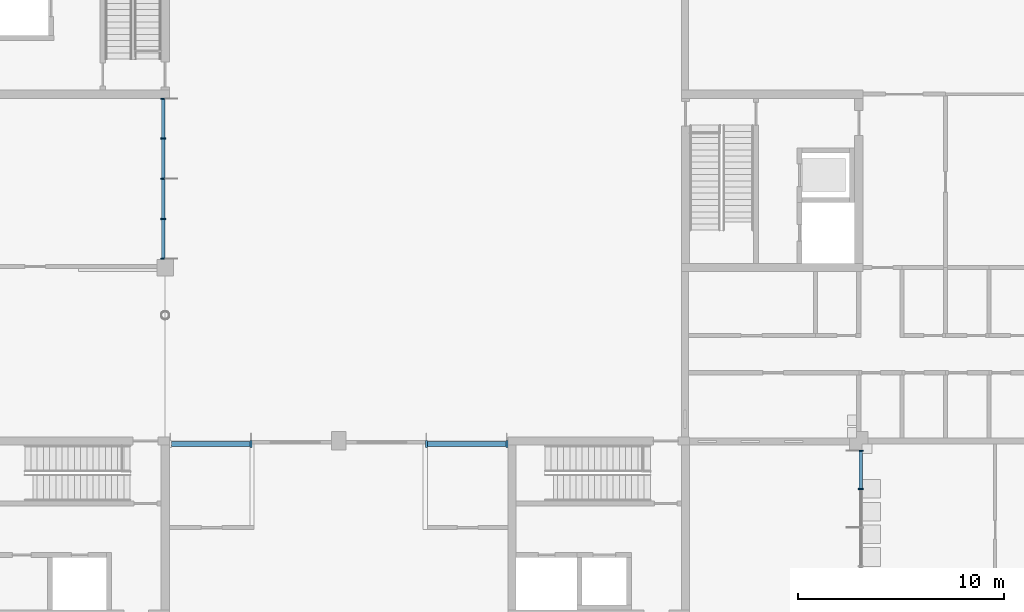
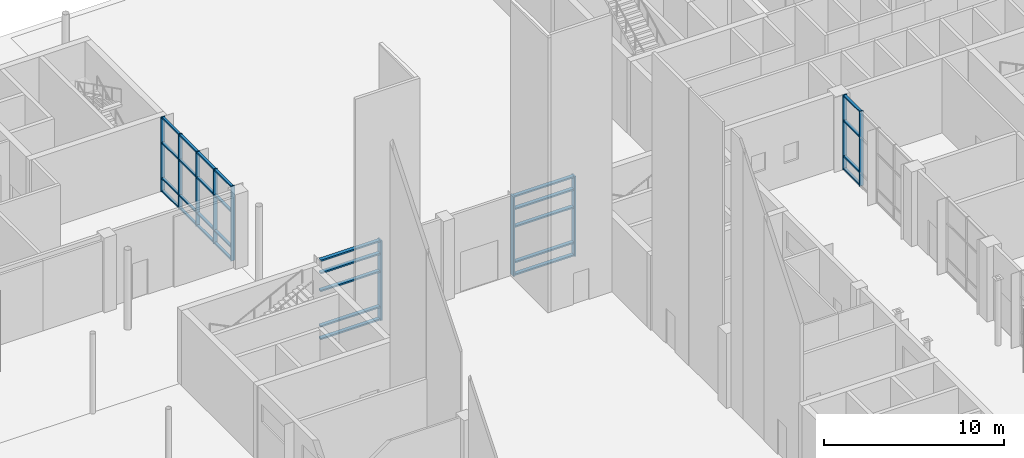
# One storey, part 22 of 76: 40 members, 4 elements without a shape of their own.
"""IFC4 building model written with IfcOpenShell, lengths in metres."""

from ifc_helpers import new_model, si_unit, direction, frame, origin, origin_2d, place, context, subcontext, project, spatial, rectangle, extrude, material, material_profile, profile_set, type_object, element, aggregate, save


model = new_model("IFC4")

# Units and contexts
model_context = context("Model", 3, precision=1e-05, world=origin(), true_north=direction((0.0, 1.0)))
body_context = subcontext(model_context, "Body", "Model", "MODEL_VIEW")
ifc_project = project(units=[si_unit("LENGTHUNIT", "METRE"), si_unit("AREAUNIT", "SQUARE_METRE"), si_unit("VOLUMEUNIT", "CUBIC_METRE"), si_unit("PLANEANGLEUNIT", "RADIAN"), si_unit("MASSUNIT", "GRAM", prefix="KILO")], contexts=[model_context])

# Site, building, storey
site_placement = place(None, origin())
site = spatial("IfcSite", under=ifc_project, at=site_placement, CompositionType="ELEMENT")
building_placement = place(site_placement, origin())
building = spatial("IfcBuilding", under=site, at=building_placement, Name="Hlaing Beacon Police Headquarters", CompositionType="ELEMENT")
storey_placement = place(building_placement, origin())
storey = spatial("IfcBuildingStorey", under=building, at=storey_placement, Name="L00", CompositionType="ELEMENT", Elevation=0.0)

# Curtain wall, members
ifc_material_1 = material(Name="Aluminium frame with solar control glazing", Category="aluminium")
curtain_wall_type_1 = type_object("IfcCurtainWallType", Name="Structural glazed gable wall 4.00 x 5.40", PredefinedType="NOTDEFINED", material=ifc_material_1)
curtain_wall_1_placement = place(storey_placement, origin())
curtain_wall_1 = element("IfcCurtainWall", 1, at=curtain_wall_1_placement, inside=storey, type_object=curtain_wall_type_1, Name="ENV-CW-L00-N020", PredefinedType="NOTDEFINED")
ifc_material_2 = material(Name="Aluminium", Category="aluminium")
ifc_material_profile_1 = material_profile(ifc_material_2, rectangle(XDim=0.35009765625, YDim=0.10009765625, at=origin_2d()), Name="Mullion 100x350")
ifc_profile_set_1 = profile_set([ifc_material_profile_1], Name="Aluminium")
member_type_1 = type_object("IfcMemberType", Name="Mullion 100x350", PredefinedType="MULLION", material=ifc_profile_set_1)
member_1_placement = place(storey_placement, frame((83.75, 67.050048828125, 0.0), z_axis=(0.0, 0.0, 1.0), x_axis=(0.0, -1.0, 0.0)))
member_1 = element("IfcMember", 2, at=member_1_placement, type_object=member_type_1, Name="CW-L00-N020 mullion 1", PredefinedType="MULLION", context=body_context, shape_type="SweptSolid", body=[
    extrude(rectangle(XDim=0.35009765625, YDim=0.10009765625, at=origin_2d()), origin(), (0.0, 0.0, 1.0), 5.39990234375),
])
member_2_placement = place(storey_placement, frame((79.85009765625, 67.050048828125, 0.0), z_axis=(0.0, 0.0, 1.0), x_axis=(0.0, -1.0, 0.0)))
member_2 = element("IfcMember", 3, at=member_2_placement, type_object=member_type_1, Name="CW-L00-N020 mullion 2", PredefinedType="MULLION", context=body_context, shape_type="SweptSolid", body=[
    extrude(rectangle(XDim=0.35009765625, YDim=0.10009765625, at=origin_2d()), origin(), (0.0, 0.0, 1.0), 5.39990234375),
])

# Curtain wall, member
curtain_wall_2_placement = place(storey_placement, origin())
curtain_wall_2 = element("IfcCurtainWall", 4, at=curtain_wall_2_placement, inside=storey, type_object=curtain_wall_type_1, Name="ENV-CW-L00-N021", PredefinedType="NOTDEFINED")
member_3_placement = place(storey_placement, frame((71.35009765625, 67.050048828125, 0.0), z_axis=(0.0, 0.0, 1.0), x_axis=(0.0, -1.0, 0.0)))
member_3 = element("IfcMember", 5, at=member_3_placement, type_object=member_type_1, Name="CW-L00-N021 mullion 1", PredefinedType="MULLION", context=body_context, shape_type="SweptSolid", body=[
    extrude(rectangle(XDim=0.35009765625, YDim=0.10009765625, at=origin_2d()), origin(), (0.0, 0.0, 1.0), 5.39990234375),
])

# Curtain wall, members
ifc_material_3 = material(Name="Aluminium frame with solar control glazing", Category="aluminium")
curtain_wall_type_2 = type_object("IfcCurtainWallType", Name="Unitised curtain wall 7.50 x 5.05", PredefinedType="NOTDEFINED", material=ifc_material_3)
curtain_wall_3_placement = place(storey_placement, origin())
curtain_wall_3 = element("IfcCurtainWall", 6, at=curtain_wall_3_placement, inside=storey, type_object=curtain_wall_type_2, Name="ENV-CW-L00-W016", PredefinedType="NOTDEFINED")
ifc_material_4 = material(Name="Aluminium", Category="aluminium")
ifc_material_profile_2 = material_profile(ifc_material_4, rectangle(XDim=0.25, YDim=0.06005859375, at=origin_2d()), Name="Mullion 60x250")
ifc_profile_set_2 = profile_set([ifc_material_profile_2], Name="Aluminium")
member_type_2 = type_object("IfcMemberType", Name="Mullion 60x250", PredefinedType="MULLION", material=ifc_profile_set_2)
member_4_placement = place(storey_placement, frame((100.89990234375, 66.719970703125, 0.0), z_axis=(0.0, 0.0, 1.0), x_axis=(1.0, 0.0, 0.0)))
member_4 = element("IfcMember", 7, at=member_4_placement, type_object=member_type_2, Name="CW-L00-W016 mullion 1", PredefinedType="MULLION", context=body_context, shape_type="SweptSolid", body=[
    extrude(rectangle(XDim=0.25, YDim=0.06005859375, at=origin_2d()), origin(), (0.0, 0.0, 1.0), 5.050048828125),
])
member_5_placement = place(storey_placement, frame((100.89990234375, 64.875, 0.0), z_axis=(0.0, 0.0, 1.0), x_axis=(1.0, 0.0, 0.0)))
member_5 = element("IfcMember", 8, at=member_5_placement, type_object=member_type_2, Name="CW-L00-W016 mullion 2", PredefinedType="MULLION", context=body_context, shape_type="SweptSolid", body=[
    extrude(rectangle(XDim=0.25, YDim=0.06005859375, at=origin_2d()), origin(), (0.0, 0.0, 1.0), 5.050048828125),
])

ifc_material_5 = material(Name="Aluminium frame with solar control glazing", Category="aluminium")
curtain_wall_type_3 = type_object("IfcCurtainWallType", Name="Unitised curtain wall 7.80 x 5.05", PredefinedType="NOTDEFINED", material=ifc_material_5)
curtain_wall_4_placement = place(storey_placement, origin())
curtain_wall_4 = element("IfcCurtainWall", 9, at=curtain_wall_4_placement, inside=storey, type_object=curtain_wall_type_3, Name="ENV-CW-L00-E026", PredefinedType="NOTDEFINED")
member_6_placement = place(storey_placement, frame((67.10009765625, 76.030029296875, 0.0), z_axis=(0.0, 0.0, 1.0), x_axis=(-1.0, 0.0, 0.0)))
member_6 = element("IfcMember", 10, at=member_6_placement, type_object=member_type_2, Name="CW-L00-E026 mullion 1", PredefinedType="MULLION", context=body_context, shape_type="SweptSolid", body=[
    extrude(rectangle(XDim=0.25, YDim=0.06005859375, at=origin_2d()), origin(), (0.0, 0.0, 1.0), 5.050048828125),
])
member_7_placement = place(storey_placement, frame((67.10009765625, 77.949951171875, 0.0), z_axis=(0.0, 0.0, 1.0), x_axis=(-1.0, 0.0, 0.0)))
member_7 = element("IfcMember", 11, at=member_7_placement, type_object=member_type_2, Name="CW-L00-E026 mullion 2", PredefinedType="MULLION", context=body_context, shape_type="SweptSolid", body=[
    extrude(rectangle(XDim=0.25, YDim=0.06005859375, at=origin_2d()), origin(), (0.0, 0.0, 1.0), 5.050048828125),
])
member_8_placement = place(storey_placement, frame((67.10009765625, 79.89990234375, 0.0), z_axis=(0.0, 0.0, 1.0), x_axis=(-1.0, 0.0, 0.0)))
member_8 = element("IfcMember", 12, at=member_8_placement, type_object=member_type_2, Name="CW-L00-E026 mullion 3", PredefinedType="MULLION", context=body_context, shape_type="SweptSolid", body=[
    extrude(rectangle(XDim=0.25, YDim=0.06005859375, at=origin_2d()), origin(), (0.0, 0.0, 1.0), 5.050048828125),
])
member_9_placement = place(storey_placement, frame((67.10009765625, 81.85009765625, 0.0), z_axis=(0.0, 0.0, 1.0), x_axis=(-1.0, 0.0, 0.0)))
member_9 = element("IfcMember", 13, at=member_9_placement, type_object=member_type_2, Name="CW-L00-E026 mullion 4", PredefinedType="MULLION", context=body_context, shape_type="SweptSolid", body=[
    extrude(rectangle(XDim=0.25, YDim=0.06005859375, at=origin_2d()), origin(), (0.0, 0.0, 1.0), 5.050048828125),
])
member_10_placement = place(storey_placement, frame((67.10009765625, 83.77001953125, 0.0), z_axis=(0.0, 0.0, 1.0), x_axis=(-1.0, 0.0, 0.0)))
member_10 = element("IfcMember", 14, at=member_10_placement, type_object=member_type_2, Name="CW-L00-E026 mullion 5", PredefinedType="MULLION", context=body_context, shape_type="SweptSolid", body=[
    extrude(rectangle(XDim=0.25, YDim=0.06005859375, at=origin_2d()), origin(), (0.0, 0.0, 1.0), 5.050048828125),
])

# Member
ifc_material_6 = material(Name="Aluminium", Category="aluminium")
ifc_material_profile_3 = material_profile(ifc_material_6, rectangle(XDim=0.159912109375, YDim=0.10009765625, at=origin_2d()), Name="Transom 160x100")
ifc_profile_set_3 = profile_set([ifc_material_profile_3], Name="Aluminium")
member_type_3 = type_object("IfcMemberType", Name="Transom 160x100", PredefinedType="USERDEFINED", material=ifc_profile_set_3)
member_11_placement = place(storey_placement, frame((100.89990234375, 66.68994140625, 0.050048828125), z_axis=(0.0, -1.0, 0.0), x_axis=(1.0, 0.0, 0.0)))
member_11 = element("IfcMember", 15, at=member_11_placement, type_object=member_type_3, Name="CW-L00-W016 transom 1.1", ObjectType="TRANSOM", PredefinedType="USERDEFINED", context=body_context, shape_type="SweptSolid", body=[
    extrude(rectangle(XDim=0.159912109375, YDim=0.10009765625, at=origin_2d()), origin(), (0.0, 0.0, 1.0), 1.784912109375),
])

member_12_placement = place(storey_placement, frame((100.89990234375, 66.68994140625, 0.89990234375), z_axis=(0.0, -1.0, 0.0), x_axis=(1.0, 0.0, 0.0)))
member_12 = element("IfcMember", 16, at=member_12_placement, type_object=member_type_3, Name="CW-L00-W016 transom 1.2", ObjectType="TRANSOM", PredefinedType="USERDEFINED", context=body_context, shape_type="SweptSolid", body=[
    extrude(rectangle(XDim=0.159912109375, YDim=0.10009765625, at=origin_2d()), origin(), (0.0, 0.0, 1.0), 1.784912109375),
])

member_13_placement = place(storey_placement, frame((100.89990234375, 66.68994140625, 3.300048828125), z_axis=(0.0, -1.0, 0.0), x_axis=(1.0, 0.0, 0.0)))
member_13 = element("IfcMember", 17, at=member_13_placement, type_object=member_type_3, Name="CW-L00-W016 transom 1.3", ObjectType="TRANSOM", PredefinedType="USERDEFINED", context=body_context, shape_type="SweptSolid", body=[
    extrude(rectangle(XDim=0.159912109375, YDim=0.10009765625, at=origin_2d()), origin(), (0.0, 0.0, 1.0), 1.784912109375),
])

member_14_placement = place(storey_placement, frame((100.89990234375, 66.68994140625, 5.0), z_axis=(0.0, -1.0, 0.0), x_axis=(1.0, 0.0, 0.0)))
member_14 = element("IfcMember", 18, at=member_14_placement, type_object=member_type_3, Name="CW-L00-W016 transom 1.4", ObjectType="TRANSOM", PredefinedType="USERDEFINED", context=body_context, shape_type="SweptSolid", body=[
    extrude(rectangle(XDim=0.159912109375, YDim=0.10009765625, at=origin_2d()), origin(), (0.0, 0.0, 1.0), 1.784912109375),
])

aggregate(curtain_wall_3, [member_4, member_5, member_11, member_12, member_13, member_14])

member_15_placement = place(storey_placement, frame((67.10009765625, 76.06005859375, 0.050048828125), z_axis=(0.0, 1.0, 0.0), x_axis=(-1.0, 0.0, 0.0)))
member_15 = element("IfcMember", 19, at=member_15_placement, type_object=member_type_3, Name="CW-L00-E026 transom 1.1", ObjectType="TRANSOM", PredefinedType="USERDEFINED", context=body_context, shape_type="SweptSolid", body=[
    extrude(rectangle(XDim=0.159912109375, YDim=0.10009765625, at=origin_2d()), origin(), (0.0, 0.0, 1.0), 1.85986328125),
])

member_16_placement = place(storey_placement, frame((67.10009765625, 76.06005859375, 0.89990234375), z_axis=(0.0, 1.0, 0.0), x_axis=(-1.0, 0.0, 0.0)))
member_16 = element("IfcMember", 20, at=member_16_placement, type_object=member_type_3, Name="CW-L00-E026 transom 1.2", ObjectType="TRANSOM", PredefinedType="USERDEFINED", context=body_context, shape_type="SweptSolid", body=[
    extrude(rectangle(XDim=0.159912109375, YDim=0.10009765625, at=origin_2d()), origin(), (0.0, 0.0, 1.0), 1.85986328125),
])

member_17_placement = place(storey_placement, frame((67.10009765625, 76.06005859375, 3.300048828125), z_axis=(0.0, 1.0, 0.0), x_axis=(-1.0, 0.0, 0.0)))
member_17 = element("IfcMember", 21, at=member_17_placement, type_object=member_type_3, Name="CW-L00-E026 transom 1.3", ObjectType="TRANSOM", PredefinedType="USERDEFINED", context=body_context, shape_type="SweptSolid", body=[
    extrude(rectangle(XDim=0.159912109375, YDim=0.10009765625, at=origin_2d()), origin(), (0.0, 0.0, 1.0), 1.85986328125),
])

member_18_placement = place(storey_placement, frame((67.10009765625, 76.06005859375, 5.0), z_axis=(0.0, 1.0, 0.0), x_axis=(-1.0, 0.0, 0.0)))
member_18 = element("IfcMember", 22, at=member_18_placement, type_object=member_type_3, Name="CW-L00-E026 transom 1.4", ObjectType="TRANSOM", PredefinedType="USERDEFINED", context=body_context, shape_type="SweptSolid", body=[
    extrude(rectangle(XDim=0.159912109375, YDim=0.10009765625, at=origin_2d()), origin(), (0.0, 0.0, 1.0), 1.85986328125),
])

member_19_placement = place(storey_placement, frame((67.10009765625, 77.97998046875, 0.050048828125), z_axis=(0.0, 1.0, 0.0), x_axis=(-1.0, 0.0, 0.0)))
member_19 = element("IfcMember", 23, at=member_19_placement, type_object=member_type_3, Name="CW-L00-E026 transom 2.1", ObjectType="TRANSOM", PredefinedType="USERDEFINED", context=body_context, shape_type="SweptSolid", body=[
    extrude(rectangle(XDim=0.159912109375, YDim=0.10009765625, at=origin_2d()), origin(), (0.0, 0.0, 1.0), 1.89013671875),
])

member_20_placement = place(storey_placement, frame((67.10009765625, 77.97998046875, 0.89990234375), z_axis=(0.0, 1.0, 0.0), x_axis=(-1.0, 0.0, 0.0)))
member_20 = element("IfcMember", 24, at=member_20_placement, type_object=member_type_3, Name="CW-L00-E026 transom 2.2", ObjectType="TRANSOM", PredefinedType="USERDEFINED", context=body_context, shape_type="SweptSolid", body=[
    extrude(rectangle(XDim=0.159912109375, YDim=0.10009765625, at=origin_2d()), origin(), (0.0, 0.0, 1.0), 1.89013671875),
])

member_21_placement = place(storey_placement, frame((67.10009765625, 77.97998046875, 3.300048828125), z_axis=(0.0, 1.0, 0.0), x_axis=(-1.0, 0.0, 0.0)))
member_21 = element("IfcMember", 25, at=member_21_placement, type_object=member_type_3, Name="CW-L00-E026 transom 2.3", ObjectType="TRANSOM", PredefinedType="USERDEFINED", context=body_context, shape_type="SweptSolid", body=[
    extrude(rectangle(XDim=0.159912109375, YDim=0.10009765625, at=origin_2d()), origin(), (0.0, 0.0, 1.0), 1.89013671875),
])

member_22_placement = place(storey_placement, frame((67.10009765625, 77.97998046875, 5.0), z_axis=(0.0, 1.0, 0.0), x_axis=(-1.0, 0.0, 0.0)))
member_22 = element("IfcMember", 26, at=member_22_placement, type_object=member_type_3, Name="CW-L00-E026 transom 2.4", ObjectType="TRANSOM", PredefinedType="USERDEFINED", context=body_context, shape_type="SweptSolid", body=[
    extrude(rectangle(XDim=0.159912109375, YDim=0.10009765625, at=origin_2d()), origin(), (0.0, 0.0, 1.0), 1.89013671875),
])

member_23_placement = place(storey_placement, frame((67.10009765625, 79.929931640625, 0.050048828125), z_axis=(0.0, 1.0, 0.0), x_axis=(-1.0, 0.0, 0.0)))
member_23 = element("IfcMember", 27, at=member_23_placement, type_object=member_type_3, Name="CW-L00-E026 transom 3.1", ObjectType="TRANSOM", PredefinedType="USERDEFINED", context=body_context, shape_type="SweptSolid", body=[
    extrude(rectangle(XDim=0.159912109375, YDim=0.10009765625, at=origin_2d()), origin(), (0.0, 0.0, 1.0), 1.89013671875),
])

member_24_placement = place(storey_placement, frame((67.10009765625, 79.929931640625, 0.89990234375), z_axis=(0.0, 1.0, 0.0), x_axis=(-1.0, 0.0, 0.0)))
member_24 = element("IfcMember", 28, at=member_24_placement, type_object=member_type_3, Name="CW-L00-E026 transom 3.2", ObjectType="TRANSOM", PredefinedType="USERDEFINED", context=body_context, shape_type="SweptSolid", body=[
    extrude(rectangle(XDim=0.159912109375, YDim=0.10009765625, at=origin_2d()), origin(), (0.0, 0.0, 1.0), 1.89013671875),
])

member_25_placement = place(storey_placement, frame((67.10009765625, 79.929931640625, 3.300048828125), z_axis=(0.0, 1.0, 0.0), x_axis=(-1.0, 0.0, 0.0)))
member_25 = element("IfcMember", 29, at=member_25_placement, type_object=member_type_3, Name="CW-L00-E026 transom 3.3", ObjectType="TRANSOM", PredefinedType="USERDEFINED", context=body_context, shape_type="SweptSolid", body=[
    extrude(rectangle(XDim=0.159912109375, YDim=0.10009765625, at=origin_2d()), origin(), (0.0, 0.0, 1.0), 1.89013671875),
])

member_26_placement = place(storey_placement, frame((67.10009765625, 79.929931640625, 5.0), z_axis=(0.0, 1.0, 0.0), x_axis=(-1.0, 0.0, 0.0)))
member_26 = element("IfcMember", 30, at=member_26_placement, type_object=member_type_3, Name="CW-L00-E026 transom 3.4", ObjectType="TRANSOM", PredefinedType="USERDEFINED", context=body_context, shape_type="SweptSolid", body=[
    extrude(rectangle(XDim=0.159912109375, YDim=0.10009765625, at=origin_2d()), origin(), (0.0, 0.0, 1.0), 1.89013671875),
])

member_27_placement = place(storey_placement, frame((67.10009765625, 81.8798828125, 0.050048828125), z_axis=(0.0, 1.0, 0.0), x_axis=(-1.0, 0.0, 0.0)))
member_27 = element("IfcMember", 31, at=member_27_placement, type_object=member_type_3, Name="CW-L00-E026 transom 4.1", ObjectType="TRANSOM", PredefinedType="USERDEFINED", context=body_context, shape_type="SweptSolid", body=[
    extrude(rectangle(XDim=0.159912109375, YDim=0.10009765625, at=origin_2d()), origin(), (0.0, 0.0, 1.0), 1.860107421875),
])

member_28_placement = place(storey_placement, frame((67.10009765625, 81.8798828125, 0.89990234375), z_axis=(0.0, 1.0, 0.0), x_axis=(-1.0, 0.0, 0.0)))
member_28 = element("IfcMember", 32, at=member_28_placement, type_object=member_type_3, Name="CW-L00-E026 transom 4.2", ObjectType="TRANSOM", PredefinedType="USERDEFINED", context=body_context, shape_type="SweptSolid", body=[
    extrude(rectangle(XDim=0.159912109375, YDim=0.10009765625, at=origin_2d()), origin(), (0.0, 0.0, 1.0), 1.860107421875),
])

member_29_placement = place(storey_placement, frame((67.10009765625, 81.8798828125, 3.300048828125), z_axis=(0.0, 1.0, 0.0), x_axis=(-1.0, 0.0, 0.0)))
member_29 = element("IfcMember", 33, at=member_29_placement, type_object=member_type_3, Name="CW-L00-E026 transom 4.3", ObjectType="TRANSOM", PredefinedType="USERDEFINED", context=body_context, shape_type="SweptSolid", body=[
    extrude(rectangle(XDim=0.159912109375, YDim=0.10009765625, at=origin_2d()), origin(), (0.0, 0.0, 1.0), 1.860107421875),
])

member_30_placement = place(storey_placement, frame((67.10009765625, 81.8798828125, 5.0), z_axis=(0.0, 1.0, 0.0), x_axis=(-1.0, 0.0, 0.0)))
member_30 = element("IfcMember", 34, at=member_30_placement, type_object=member_type_3, Name="CW-L00-E026 transom 4.4", ObjectType="TRANSOM", PredefinedType="USERDEFINED", context=body_context, shape_type="SweptSolid", body=[
    extrude(rectangle(XDim=0.159912109375, YDim=0.10009765625, at=origin_2d()), origin(), (0.0, 0.0, 1.0), 1.860107421875),
])

aggregate(curtain_wall_4, [member_6, member_7, member_8, member_9, member_10, member_15, member_16, member_17, member_18, member_19, member_20, member_21, member_22, member_23, member_24, member_25, member_26, member_27, member_28, member_29, member_30])

ifc_material_7 = material(Name="Aluminium", Category="aluminium")
ifc_material_profile_4 = material_profile(ifc_material_7, rectangle(XDim=0.239990234375, YDim=0.10009765625, at=origin_2d()), Name="Transom 240x100")
ifc_profile_set_4 = profile_set([ifc_material_profile_4], Name="Aluminium")
member_type_4 = type_object("IfcMemberType", Name="Transom 240x100", PredefinedType="USERDEFINED", material=ifc_profile_set_4)
member_31_placement = place(storey_placement, frame((83.699951171875, 67.050048828125, 0.050048828125), z_axis=(-1.0, 0.0, 0.0), x_axis=(0.0, -1.0, 0.0)))
member_31 = element("IfcMember", 35, at=member_31_placement, type_object=member_type_4, Name="CW-L00-N020 transom 1.1", ObjectType="TRANSOM", PredefinedType="USERDEFINED", context=body_context, shape_type="SweptSolid", body=[
    extrude(rectangle(XDim=0.239990234375, YDim=0.10009765625, at=origin_2d()), origin(), (0.0, 0.0, 1.0), 3.800048828125),
])

member_32_placement = place(storey_placement, frame((83.699951171875, 67.050048828125, 0.89990234375), z_axis=(-1.0, 0.0, 0.0), x_axis=(0.0, -1.0, 0.0)))
member_32 = element("IfcMember", 36, at=member_32_placement, type_object=member_type_4, Name="CW-L00-N020 transom 1.2", ObjectType="TRANSOM", PredefinedType="USERDEFINED", context=body_context, shape_type="SweptSolid", body=[
    extrude(rectangle(XDim=0.239990234375, YDim=0.10009765625, at=origin_2d()), origin(), (0.0, 0.0, 1.0), 3.800048828125),
])

member_33_placement = place(storey_placement, frame((83.699951171875, 67.050048828125, 3.300048828125), z_axis=(-1.0, 0.0, 0.0), x_axis=(0.0, -1.0, 0.0)))
member_33 = element("IfcMember", 37, at=member_33_placement, type_object=member_type_4, Name="CW-L00-N020 transom 1.3", ObjectType="TRANSOM", PredefinedType="USERDEFINED", context=body_context, shape_type="SweptSolid", body=[
    extrude(rectangle(XDim=0.239990234375, YDim=0.10009765625, at=origin_2d()), origin(), (0.0, 0.0, 1.0), 3.800048828125),
])

member_34_placement = place(storey_placement, frame((83.699951171875, 67.050048828125, 4.5), z_axis=(-1.0, 0.0, 0.0), x_axis=(0.0, -1.0, 0.0)))
member_34 = element("IfcMember", 38, at=member_34_placement, type_object=member_type_4, Name="CW-L00-N020 transom 1.4", ObjectType="TRANSOM", PredefinedType="USERDEFINED", context=body_context, shape_type="SweptSolid", body=[
    extrude(rectangle(XDim=0.239990234375, YDim=0.10009765625, at=origin_2d()), origin(), (0.0, 0.0, 1.0), 3.800048828125),
])

member_35_placement = place(storey_placement, frame((83.699951171875, 67.050048828125, 5.35009765625), z_axis=(-1.0, 0.0, 0.0), x_axis=(0.0, -1.0, 0.0)))
member_35 = element("IfcMember", 39, at=member_35_placement, type_object=member_type_4, Name="CW-L00-N020 transom 1.5", ObjectType="TRANSOM", PredefinedType="USERDEFINED", context=body_context, shape_type="SweptSolid", body=[
    extrude(rectangle(XDim=0.239990234375, YDim=0.10009765625, at=origin_2d()), origin(), (0.0, 0.0, 1.0), 3.800048828125),
])

aggregate(curtain_wall_1, [member_1, member_2, member_31, member_32, member_33, member_34, member_35])

member_36_placement = place(storey_placement, frame((71.300048828125, 67.050048828125, 0.050048828125), z_axis=(-1.0, 0.0, 0.0), x_axis=(0.0, -1.0, 0.0)))
member_36 = element("IfcMember", 40, at=member_36_placement, type_object=member_type_4, Name="CW-L00-N021 transom 1.1", ObjectType="TRANSOM", PredefinedType="USERDEFINED", context=body_context, shape_type="SweptSolid", body=[
    extrude(rectangle(XDim=0.239990234375, YDim=0.10009765625, at=origin_2d()), origin(), (0.0, 0.0, 1.0), 3.800048828125),
])

member_37_placement = place(storey_placement, frame((71.300048828125, 67.050048828125, 0.89990234375), z_axis=(-1.0, 0.0, 0.0), x_axis=(0.0, -1.0, 0.0)))
member_37 = element("IfcMember", 41, at=member_37_placement, type_object=member_type_4, Name="CW-L00-N021 transom 1.2", ObjectType="TRANSOM", PredefinedType="USERDEFINED", context=body_context, shape_type="SweptSolid", body=[
    extrude(rectangle(XDim=0.239990234375, YDim=0.10009765625, at=origin_2d()), origin(), (0.0, 0.0, 1.0), 3.800048828125),
])

member_38_placement = place(storey_placement, frame((71.300048828125, 67.050048828125, 3.300048828125), z_axis=(-1.0, 0.0, 0.0), x_axis=(0.0, -1.0, 0.0)))
member_38 = element("IfcMember", 42, at=member_38_placement, type_object=member_type_4, Name="CW-L00-N021 transom 1.3", ObjectType="TRANSOM", PredefinedType="USERDEFINED", context=body_context, shape_type="SweptSolid", body=[
    extrude(rectangle(XDim=0.239990234375, YDim=0.10009765625, at=origin_2d()), origin(), (0.0, 0.0, 1.0), 3.800048828125),
])

member_39_placement = place(storey_placement, frame((71.300048828125, 67.050048828125, 4.5), z_axis=(-1.0, 0.0, 0.0), x_axis=(0.0, -1.0, 0.0)))
member_39 = element("IfcMember", 43, at=member_39_placement, type_object=member_type_4, Name="CW-L00-N021 transom 1.4", ObjectType="TRANSOM", PredefinedType="USERDEFINED", context=body_context, shape_type="SweptSolid", body=[
    extrude(rectangle(XDim=0.239990234375, YDim=0.10009765625, at=origin_2d()), origin(), (0.0, 0.0, 1.0), 3.800048828125),
])

member_40_placement = place(storey_placement, frame((71.300048828125, 67.050048828125, 5.35009765625), z_axis=(-1.0, 0.0, 0.0), x_axis=(0.0, -1.0, 0.0)))
member_40 = element("IfcMember", 44, at=member_40_placement, type_object=member_type_4, Name="CW-L00-N021 transom 1.5", ObjectType="TRANSOM", PredefinedType="USERDEFINED", context=body_context, shape_type="SweptSolid", body=[
    extrude(rectangle(XDim=0.239990234375, YDim=0.10009765625, at=origin_2d()), origin(), (0.0, 0.0, 1.0), 3.800048828125),
])

aggregate(curtain_wall_2, [member_3, member_36, member_37, member_38, member_39, member_40])

save(model, "model.ifc")
